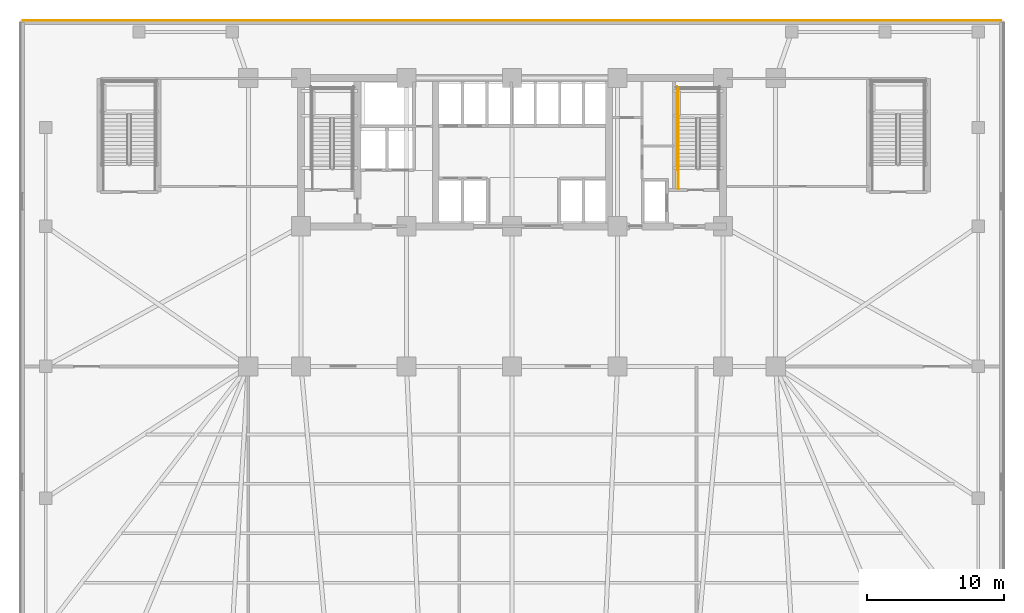
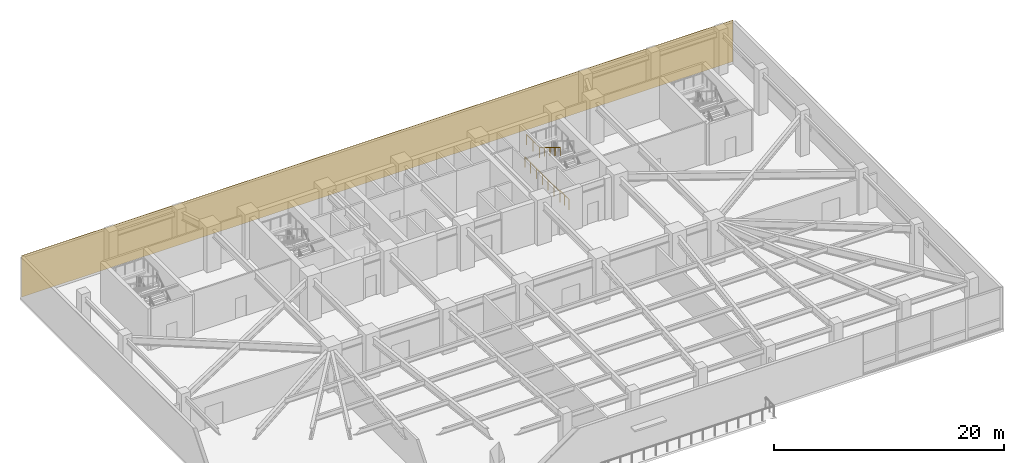
# One storey, part 13 of 15: 4 railings, 1 covering.
"""IFC4 building model written with IfcOpenShell, lengths in metres."""

from ifc_helpers import new_model, si_unit, direction, frame, frame_2d, origin, origin_2d, place, context, subcontext, project, spatial, rectangle, circle, extrude, material, layer, layer_set, type_object, element, save


model = new_model("IFC4")

# Units and contexts
model_context = context("Model", 3, precision=1e-05, world=origin(), true_north=direction((0.0, 1.0)))
body_context = subcontext(model_context, "Body", "Model", "MODEL_VIEW")
ifc_project = project(units=[si_unit("LENGTHUNIT", "METRE"), si_unit("AREAUNIT", "SQUARE_METRE"), si_unit("VOLUMEUNIT", "CUBIC_METRE"), si_unit("PLANEANGLEUNIT", "RADIAN"), si_unit("MASSUNIT", "GRAM", prefix="KILO")], contexts=[model_context])

# Site, building, storey
site_placement = place(None, origin())
site = spatial("IfcSite", under=ifc_project, at=site_placement, CompositionType="ELEMENT")
building_placement = place(site_placement, origin())
building = spatial("IfcBuilding", under=site, at=building_placement, Name="Yelkora Congress Tower", CompositionType="ELEMENT")
storey_placement = place(building_placement, frame((0.0, 0.0, 20.39990234375)))
storey = spatial("IfcBuildingStorey", under=building, at=storey_placement, Name="L04", CompositionType="ELEMENT", Elevation=20.39990234375)

# Covering
ifc_material_1 = material(Name="Anatolian honed limestone ashlar", Category="masonry")
ifc_layer_1 = layer(ifc_material_1, 0.050048828125)
ifc_layer_set_1 = layer_set([ifc_layer_1], Name="Anatolian honed limestone ashlar")
covering_type = type_object("IfcCoveringType", Name="COV-CLAD-LIMESTONE-50", PredefinedType="CLADDING", material=ifc_layer_set_1)
covering_placement = place(storey_placement, frame((2.760009765625, 50.39990234375, 0.0), z_axis=(0.0, 0.0, 1.0), x_axis=(1.0, 0.0, 0.0)))
element("IfcCovering", 1, at=covering_placement, inside=storey, type_object=covering_type, Name="L04 Anatolian Limestone Cladding EW-L04-E02", PredefinedType="CLADDING", context=body_context, shape_type="SweptSolid", body=[
    extrude(rectangle(XDim=71.280029296875, YDim=0.050048828125, at=frame_2d((35.64013671875, 0.0))), origin(), (0.0, 0.0, 1.0), 4.380126953125),
])

# Railings
ifc_material_2 = material(Name="Painted galvanised steel stair well guard with vertical infill", Category="steel")
ifc_layer_2 = layer(ifc_material_2, 0.06005859375)
ifc_layer_set_2 = layer_set([ifc_layer_2], Name="Painted galvanised steel stair well guard with vertical infill")
railing_type_1 = type_object("IfcRailingType", Name="RAIL-STAIR-GUARD-1120", PredefinedType="GUARDRAIL", material=ifc_layer_set_2)
railing_1_placement = place(storey_placement, frame((50.510009765625, 43.239990234375, 2.400146484375)))
element("IfcRailing", 2, at=railing_1_placement, inside=storey, type_object=railing_type_1, Name="ST-02 L04 Stair Well Guardrail 4", PredefinedType="GUARDRAIL", context=body_context, shape_type="SweptSolid", body=[
    extrude(circle(Radius=0.02392578125, at=origin_2d()), frame((0.0, 0.0, 1.09619140625), z_axis=(0.0, 1.0, 0.0), x_axis=(-1.0, 0.0, 0.0)), (0.0, 0.0, 1.0), 2.22998046875),
    extrude(circle(Radius=0.02099609375, at=origin_2d()), origin(), (0.0, 0.0, 1.0), 1.072021484375),
    extrude(circle(Radius=0.02099609375, at=origin_2d()), frame((0.0, 1.114990234375, 0.0)), (0.0, 0.0, 1.0), 1.072021484375),
    extrude(circle(Radius=0.02099609375, at=origin_2d()), frame((0.0, 2.22998046875, 0.0)), (0.0, 0.0, 1.0), 1.072021484375),
])
railing_2_placement = place(storey_placement, frame((50.510009765625, 38.1201171875, 0.0)))
element("IfcRailing", 3, at=railing_2_placement, inside=storey, type_object=railing_type_1, Name="ST-02 L04 Stair Well Guardrail 9", PredefinedType="GUARDRAIL", context=body_context, shape_type="SweptSolid", body=[
    extrude(circle(Radius=0.02392578125, at=origin_2d()), frame((0.0, 0.0, 1.09619140625), z_axis=(0.0, 1.0, 0.0), x_axis=(-1.0, 0.0, 0.0)), (0.0, 0.0, 1.0), 1.47998046875),
    extrude(circle(Radius=0.02099609375, at=origin_2d()), origin(), (0.0, 0.0, 1.0), 1.072021484375),
    extrude(circle(Radius=0.02099609375, at=origin_2d()), frame((0.0, 0.739990234375, 0.0)), (0.0, 0.0, 1.0), 1.072021484375),
    extrude(circle(Radius=0.02099609375, at=origin_2d()), frame((0.0, 1.47998046875, 0.0)), (0.0, 0.0, 1.0), 1.072021484375),
])
railing_3_placement = place(storey_placement, frame((50.409912109375, 39.5, 0.0)))
element("IfcRailing", 4, at=railing_3_placement, inside=storey, type_object=railing_type_1, Name="ST-02 L04 Stair Well Guardrail 11", PredefinedType="GUARDRAIL", context=body_context, shape_type="SweptSolid", body=[
    extrude(circle(Radius=0.02392578125, at=origin_2d()), frame((0.0, 0.0, 1.09619140625), z_axis=(0.0, 1.0, 0.0), x_axis=(-1.0, 0.0, 0.0)), (0.0, 0.0, 1.0), 6.070068359375),
    extrude(circle(Radius=0.02099609375, at=origin_2d()), origin(), (0.0, 0.0, 1.0), 1.072021484375),
    extrude(circle(Radius=0.02099609375, at=origin_2d()), frame((0.0, 1.01171875, 0.0)), (0.0, 0.0, 1.0), 1.072021484375),
    extrude(circle(Radius=0.02099609375, at=origin_2d()), frame((0.0, 2.0234375, 0.0)), (0.0, 0.0, 1.0), 1.072021484375),
    extrude(circle(Radius=0.02099609375, at=origin_2d()), frame((0.0, 3.03515625, 0.0)), (0.0, 0.0, 1.0), 1.072021484375),
    extrude(circle(Radius=0.02099609375, at=origin_2d()), frame((0.0, 4.046630859375, 0.0)), (0.0, 0.0, 1.0), 1.072021484375),
    extrude(circle(Radius=0.02099609375, at=origin_2d()), frame((0.0, 5.058349609375, 0.0)), (0.0, 0.0, 1.0), 1.072021484375),
    extrude(circle(Radius=0.02099609375, at=origin_2d()), frame((0.0, 6.070068359375, 0.0)), (0.0, 0.0, 1.0), 1.072021484375),
])
ifc_material_3 = material(Name="Brushed stainless steel tubular handrail", Category="steel")
ifc_layer_3 = layer(ifc_material_3, 0.050048828125)
ifc_layer_set_3 = layer_set([ifc_layer_3], Name="Brushed stainless steel tubular handrail")
railing_type_2 = type_object("IfcRailingType", Name="RAIL-STAIR-HAND-920", PredefinedType="HANDRAIL", material=ifc_layer_set_3)
railing_4_placement = place(storey_placement, frame((50.510009765625, 43.239990234375, 2.571533203125)))
element("IfcRailing", 5, at=railing_4_placement, inside=storey, type_object=railing_type_2, Name="ST-02 L04 Pitch Handrail 2", PredefinedType="HANDRAIL", context=body_context, shape_type="SweptSolid", body=[
    extrude(circle(Radius=0.02392578125, at=origin_2d()), frame((0.0, 0.0, 0.89599609375), z_axis=(0.0, -0.852850264322, 0.5221555579), x_axis=(1.0, 0.0, 0.0)), (0.0, 0.0, 1.0), 4.267822265625),
    extrude(circle(Radius=0.02099609375, at=origin_2d()), origin(), (0.0, 0.0, 1.0), 0.871826171875),
    extrude(circle(Radius=0.02099609375, at=origin_2d()), frame((0.0, -0.909912109375, 0.55712890625)), (0.0, 0.0, 1.0), 0.871826171875),
    extrude(circle(Radius=0.02099609375, at=origin_2d()), frame((0.0, -1.81982421875, 1.1142578125)), (0.0, 0.0, 1.0), 0.871826171875),
    extrude(circle(Radius=0.02099609375, at=origin_2d()), frame((0.0, -2.72998046875, 1.67138671875)), (0.0, 0.0, 1.0), 0.871826171875),
    extrude(circle(Radius=0.02099609375, at=origin_2d()), frame((0.0, -3.639892578125, 2.228515625)), (0.0, 0.0, 1.0), 0.871826171875),
])

save(model, "model.ifc")
